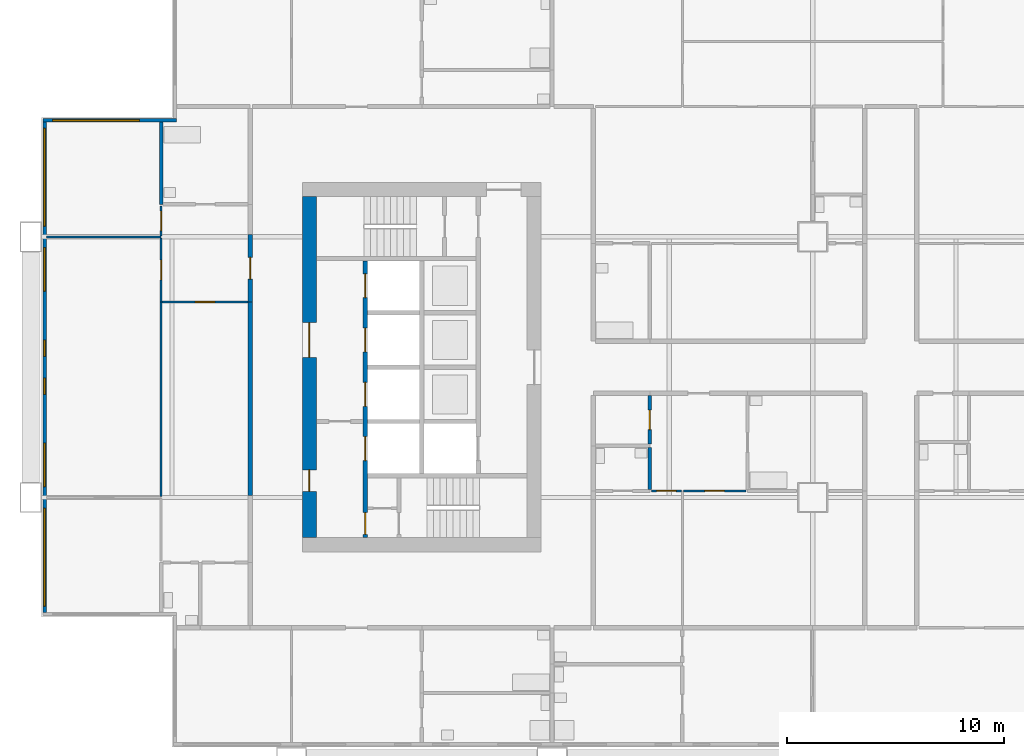
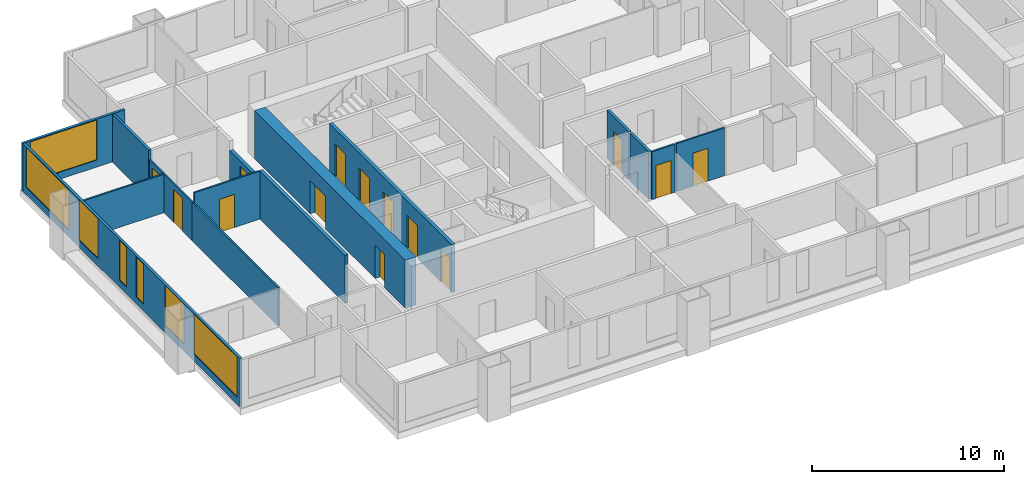
# One storey, part 3 of 13: 16 walls, 14 doors, 7 windows, 21 openings.
"""IFC4 building model written with IfcOpenShell, lengths in metres."""

import ifcopenshell
import ifcopenshell.guid

model = None  # the IFC model being written
_history = None  # IfcOwnerHistory: only IFC2X3 demands one
_inside = {}  # id of a spatial element -> (the spatial element, [elements in it])
_under = {}  # id of a project, library or spatial element -> (it, [spatial elements below it])
_declared = {}  # id of a project -> (the project, [libraries it declares])
_typed = {}  # id of a type object -> (the type object, [elements of that type])
_made_of = {}  # id of a material, layer set ... -> (it, [elements and type objects made of it])


def new_model(schema):
    """Start an empty IFC model of exactly this schema.

    Asked for "IFC4X3", IfcOpenShell would pick the latest addendum, in which some entities
    have other attributes; the version numbers below select the first issue.
    IFC2X3 requires an IfcOwnerHistory on every rooted entity: one is made here for all.
    """
    global model, _history
    if schema == "IFC4X3":
        model = ifcopenshell.file(schema_version=(4, 3, 0, 0))
    else:
        model = ifcopenshell.file(schema=schema)
    _inside.clear()
    _under.clear()
    _declared.clear()
    _typed.clear()
    _made_of.clear()
    _history = None
    if model.schema == "IFC2X3":
        org = make("IfcOrganization", Name="unknown")
        user = make(
            "IfcPersonAndOrganization",
            ThePerson=make("IfcPerson", FamilyName="unknown"),
            TheOrganization=org,
        )
        app = make(
            "IfcApplication",
            ApplicationDeveloper=org,
            Version="unknown",
            ApplicationFullName="unknown",
            ApplicationIdentifier="unknown",
        )
        _history = make(
            "IfcOwnerHistory",
            OwningUser=user,
            OwningApplication=app,
            ChangeAction="ADDED",
            CreationDate=0,
        )
    return model


def make(cls, **values):
    """One entity of the class cls with the attributes given. An attribute that is None is left unset."""
    return model.create_entity(
        cls, **{name: value for name, value in values.items() if value is not None}
    )


def rooted(cls, **values):
    """An entity with a GlobalId (a new one), such as an element, a storey or a relation."""
    return make(cls, GlobalId=ifcopenshell.guid.new(), OwnerHistory=_history, **values)


def si_unit(unit_type, name, prefix=None):
    """IfcSIUnit, for example si_unit("LENGTHUNIT", "METRE", prefix="MILLI")."""
    return make("IfcSIUnit", UnitType=unit_type, Prefix=prefix, Name=name)


def assignment(units):
    """IfcUnitAssignment: the units of a project."""
    return None if units is None else make("IfcUnitAssignment", Units=units)


def point(xyz):
    """IfcCartesianPoint."""
    return None if xyz is None else make("IfcCartesianPoint", Coordinates=xyz)


def direction(xyz):
    """IfcDirection."""
    return None if xyz is None else make("IfcDirection", DirectionRatios=xyz)


def frame(location, z_axis=None, x_axis=None):
    """IfcAxis2Placement3D, a coordinate frame: its origin and axes. An axis left out is left unset."""
    return make(
        "IfcAxis2Placement3D",
        Location=point(location),
        Axis=direction(z_axis),
        RefDirection=direction(x_axis),
    )


def frame_2d(location, x_axis=None):
    """IfcAxis2Placement2D, a coordinate frame in the plane: its origin and x axis."""
    return make(
        "IfcAxis2Placement2D", Location=point(location), RefDirection=direction(x_axis)
    )


def origin():
    """The frame at (0, 0, 0) with its axes left unset."""
    return frame((0.0, 0.0, 0.0))


def place(relative_to, where):
    """IfcLocalPlacement: puts the frame where relative to a parent placement (None: the world)."""
    return make(
        "IfcLocalPlacement", PlacementRelTo=relative_to, RelativePlacement=where
    )


def context(
    kind, dimensions, precision=None, world=None, true_north=None, identifier=None
):
    """IfcGeometricRepresentationContext, for example the 3D "Model" context."""
    return make(
        "IfcGeometricRepresentationContext",
        ContextIdentifier=identifier,
        ContextType=kind,
        CoordinateSpaceDimension=dimensions,
        Precision=precision,
        WorldCoordinateSystem=world,
        TrueNorth=true_north,
    )


def subcontext(parent, identifier, kind, view, scale=None):
    """IfcGeometricRepresentationSubContext, for example "Body" below "Model"."""
    return make(
        "IfcGeometricRepresentationSubContext",
        ContextIdentifier=identifier,
        ContextType=kind,
        ParentContext=parent,
        TargetScale=scale,
        TargetView=view,
    )


def project(units=None, contexts=None):
    """IfcProject with its units and contexts."""
    return rooted(
        "IfcProject",
        Name="project",
        RepresentationContexts=contexts,
        UnitsInContext=assignment(units),
    )


def spatial(cls, under=None, at=None, **own):
    """A site, building, storey or space (cls), placed at a placement, below another one or the project."""
    s = rooted(cls, ObjectPlacement=at, **own)
    if under is not None:
        _under.setdefault(under.id(), (under, []))[1].append(s)
    return s


def profile(cls, at=None, kind="AREA", **sizes):
    """A parametric profile (cls). Its sizes go by their IFC names, for example OverallWidth=200.0."""
    return make(cls, ProfileType=kind, Position=at, **sizes)


def rectangle(**sizes):
    """IfcRectangleProfileDef."""
    return profile("IfcRectangleProfileDef", **sizes)


def extrude(swept, where, along, depth):
    """IfcExtrudedAreaSolid: the profile swept, set in the frame where, extruded along a direction by depth."""
    return make(
        "IfcExtrudedAreaSolid",
        SweptArea=swept,
        Position=where,
        ExtrudedDirection=direction(along),
        Depth=depth,
    )


def shape(context_of_items, identifier, shape_type, items):
    """IfcShapeRepresentation: the items that make up one representation, for example the "Body"."""
    return make(
        "IfcShapeRepresentation",
        ContextOfItems=context_of_items,
        RepresentationIdentifier=identifier,
        RepresentationType=shape_type,
        Items=items,
    )


def material(Name=None, Category=None):
    """IfcMaterial."""
    return make("IfcMaterial", Name=Name, Category=Category)


def layer(
    of_material, thickness, ventilated=None, Name=None, Category=None, Priority=None
):
    """IfcMaterialLayer: one layer of a wall or slab, of a material (None: an air gap)."""
    return make(
        "IfcMaterialLayer",
        Material=of_material,
        LayerThickness=thickness,
        IsVentilated=ventilated,
        Name=Name,
        Category=Category,
        Priority=Priority,
    )


def layer_set(layers, Name=None):
    """IfcMaterialLayerSet."""
    return make("IfcMaterialLayerSet", MaterialLayers=layers, LayerSetName=Name)


def made_of(thing, what):
    """Note that an element or type object is made of a material, layer set ...; save() writes the relation."""
    if what is not None:
        _made_of.setdefault(what.id(), (what, []))[1].append(thing)
    return thing


def type_object(cls, material=None, **own):
    """A type object (cls), such as IfcWallType, which elements share."""
    return made_of(rooted(cls, **own), material)


def element(
    cls,
    number,
    at=None,
    inside=None,
    cuts=None,
    type_object=None,
    material=None,
    context=None,
    identifier="Body",
    shape_type=None,
    held_by="IfcProductDefinitionShape",
    body=None,
    shapes=None,
    **own,
):
    """One element of the class cls, such as IfcWall. Its Tag is "e" and its number.

    at: its placement. inside: the storey or other place that contains it. cuts: it is an
    opening in that element (IfcRelVoidsElement). A single representation is given by context,
    identifier, shape_type and body (its items); several are given by shapes. held_by: the class
    of the entity that holds the representations. save() writes the other relations.
    """
    e = rooted(cls, Tag="e%d" % number, ObjectPlacement=at, **own)
    if body is not None:
        shapes = [shape(context, identifier, shape_type, body)]
    if shapes is not None:
        e.Representation = make(held_by, Representations=shapes)
    if inside is not None:
        _inside.setdefault(inside.id(), (inside, []))[1].append(e)
    if cuts is not None:
        rooted(
            "IfcRelVoidsElement", RelatingBuildingElement=cuts, RelatedOpeningElement=e
        )
    if type_object is not None:
        _typed.setdefault(type_object.id(), (type_object, []))[1].append(e)
    return made_of(e, material)


def fill(opening, filler):
    """IfcRelFillsElement: the door or window that sits in an opening."""
    return rooted(
        "IfcRelFillsElement",
        RelatingOpeningElement=opening,
        RelatedBuildingElement=filler,
    )


def aggregate(whole, parts):
    """IfcRelAggregates: a whole, such as a stair, and the parts it consists of."""
    return rooted("IfcRelAggregates", RelatingObject=whole, RelatedObjects=parts)


def save(model, path):
    """Write the relations noted so far, then the file.

    IfcRelAggregates (storeys below a building ...), IfcRelContainedInSpatialStructure (elements
    in a storey), IfcRelDefinesByType, IfcRelAssociatesMaterial and IfcRelDeclares: one each for
    every whole, place, type object, material and project.
    """
    for whole, parts in _under.values():
        aggregate(whole, parts)
    for where, things in _inside.values():
        rooted(
            "IfcRelContainedInSpatialStructure",
            RelatedElements=things,
            RelatingStructure=where,
        )
    for kind, things in _typed.values():
        rooted("IfcRelDefinesByType", RelatedObjects=things, RelatingType=kind)
    for what, things in _made_of.values():
        rooted("IfcRelAssociatesMaterial", RelatedObjects=things, RelatingMaterial=what)
    for by, libraries in _declared.values():
        rooted("IfcRelDeclares", RelatingContext=by, RelatedDefinitions=libraries)
    model.write(path)


model = new_model("IFC4")

# Units and contexts
model_context = context("Model", 3, precision=1e-05, world=origin(), true_north=direction((0.0, 1.0)))
body_context = subcontext(model_context, "Body", "Model", "MODEL_VIEW")
ifc_project = project(units=[si_unit("LENGTHUNIT", "METRE"), si_unit("AREAUNIT", "SQUARE_METRE"), si_unit("VOLUMEUNIT", "CUBIC_METRE"), si_unit("PLANEANGLEUNIT", "RADIAN"), si_unit("MASSUNIT", "GRAM", prefix="KILO")], contexts=[model_context])

# Site, building, storey
site_placement = place(None, origin())
site = spatial("IfcSite", under=ifc_project, at=site_placement, CompositionType="ELEMENT")
building_placement = place(site_placement, origin())
building = spatial("IfcBuilding", under=site, at=building_placement, Name="Kitamizu Gate Tower and Museum", CompositionType="ELEMENT")
storey_placement = place(building_placement, frame((0.0, 0.0, 144.89990234375)))
storey = spatial("IfcBuildingStorey", under=building, at=storey_placement, Name="L38", CompositionType="ELEMENT", Elevation=144.89990234375)

# Wall, openings, doors
ifc_material_1 = material(Name="Concrete Fc60", Category="concrete")
ifc_layer_1 = layer(ifc_material_1, 0.64990234375)
ifc_layer_set_1 = layer_set([ifc_layer_1], Name="Concrete Fc60")
wall_type_1 = type_object("IfcWallType", Name="Core wall 650", PredefinedType="SHEAR", material=ifc_layer_set_1)
wall_1_placement = place(storey_placement, frame((12.824951171875, 22.14990234375, 0.0), z_axis=(0.0, 0.0, 1.0), x_axis=(0.0, 1.0, 0.0)))
wall_1 = element("IfcWall", 1, at=wall_1_placement, inside=storey, type_object=wall_type_1, Name="Core wall WOUT", PredefinedType="SHEAR", context=body_context, shape_type="SweptSolid", body=[
    extrude(rectangle(XDim=15.7001953125, YDim=0.64990234375, at=frame_2d((7.85009765625, 0.0))), origin(), (0.0, 0.0, 1.0), 3.050048828125),
])
opening_1_placement = place(wall_1_placement, frame((8.300048828125, 0.0, 0.0)))
opening_1 = element("IfcOpeningElement", 2, at=opening_1_placement, cuts=wall_1, Name="Opening L38-061", PredefinedType="OPENING", context=body_context, shape_type="SweptSolid", body=[
    extrude(rectangle(XDim=1.60009765625, YDim=2.10009765625, at=frame_2d((0.800048828125, 1.050048828125))), frame((0.0, 0.3349609375, 0.0), z_axis=(0.0, -1.0, 0.0), x_axis=(1.0, 0.0, 0.0)), (0.0, 0.0, 1.0), 0.669921875),
])
opening_2_placement = place(wall_1_placement, frame((2.125, 0.0, 0.0)))
opening_2 = element("IfcOpeningElement", 3, at=opening_2_placement, cuts=wall_1, Name="Opening L38-062", PredefinedType="OPENING", context=body_context, shape_type="SweptSolid", body=[
    extrude(rectangle(XDim=1.0, YDim=2.10009765625, at=frame_2d((0.5, 1.050048828125))), frame((0.0, 0.3349609375, 0.0), z_axis=(0.0, -1.0, 0.0), x_axis=(1.0, 0.0, 0.0)), (0.0, 0.0, 1.0), 0.669921875),
])
ifc_material_2 = material(Name="Timber door set", Category="wood")
door_type_1 = type_object("IfcDoorType", Name="Entrance door 1600", OperationType="DOUBLE_DOOR_SINGLE_SWING", PredefinedType="DOOR", material=ifc_material_2)
door_1_placement = place(opening_1_placement, origin())
door_1 = element("IfcDoor", 4, at=door_1_placement, inside=storey, type_object=door_type_1, Name="Lobby door L38-061", OperationType="DOUBLE_DOOR_SINGLE_SWING", OverallHeight=2.10009765625, OverallWidth=1.60009765625, PredefinedType="DOOR", context=body_context, shape_type="SweptSolid", body=[
    extrude(rectangle(XDim=1.60009765625, YDim=2.10009765625, at=frame_2d((0.800048828125, 1.050048828125))), frame((0.0, 0.02490234375, 0.0), z_axis=(0.0, -1.0, 0.0), x_axis=(1.0, 0.0, 0.0)), (0.0, 0.0, 1.0), 0.050048828125),
])
fill(opening_1, door_1)
ifc_material_3 = material(Name="Hollow metal door set")
door_type_2 = type_object("IfcDoorType", Name="Fire door 1000", OperationType="NOTDEFINED", PredefinedType="DOOR", material=ifc_material_3)
door_2_placement = place(opening_2_placement, frame((1.0, 0.0, 0.0), x_axis=(-1.0, 0.0, 0.0)))
door_2 = element("IfcDoor", 5, at=door_2_placement, inside=storey, type_object=door_type_2, Name="Fire-fighting lobby door L38-062", OperationType="SINGLE_SWING_RIGHT", OverallHeight=2.10009765625, OverallWidth=1.0, PredefinedType="DOOR", context=body_context, shape_type="SweptSolid", body=[
    extrude(rectangle(XDim=1.0, YDim=2.10009765625, at=frame_2d((0.5, 1.050048828125))), frame((0.0, 0.02490234375, 0.0), z_axis=(0.0, -1.0, 0.0), x_axis=(1.0, 0.0, 0.0)), (0.0, 0.0, 1.0), 0.050048828125),
])
fill(opening_2, door_2)

# Walls
ifc_material_4 = material(Name="Gypsum board on galvanised stud")
ifc_layer_2 = layer(ifc_material_4, 0.10009765625)
ifc_layer_set_2 = layer_set([ifc_layer_2], Name="Gypsum board on galvanised stud")
wall_type_2 = type_object("IfcWallType", Name="Partition 100 NOT RATED", PredefinedType="PARTITIONING", material=ifc_layer_set_2)
wall_2_placement = place(storey_placement, frame((6.0, 36.0, 0.0), z_axis=(0.0, 0.0, 1.0), x_axis=(-1.0, 0.0, 0.0)))
element("IfcWall", 6, at=wall_2_placement, inside=storey, type_object=wall_type_2, Name="Partition L38-016", PredefinedType="PARTITIONING", context=body_context, shape_type="SweptSolid", body=[
    extrude(rectangle(XDim=5.280029296875, YDim=0.10009765625, at=frame_2d((2.64013671875, 0.0))), origin(), (0.0, 0.0, 1.0), 2.4501953125),
])
wall_3_placement = place(storey_placement, frame((6.0, 24.050048828125, 0.0), z_axis=(0.0, 0.0, 1.0), x_axis=(0.0, 1.0, 0.0)))
element("IfcWall", 7, at=wall_3_placement, inside=storey, type_object=wall_type_2, Name="Partition L38-017", PredefinedType="PARTITIONING", context=body_context, shape_type="SweptSolid", body=[
    extrude(rectangle(XDim=8.949951171875, YDim=0.10009765625, at=frame_2d((4.47509765625, 0.0))), origin(), (0.0, 0.0, 1.0), 2.4501953125),
])

# Wall, opening, door
wall_4_placement = place(storey_placement, frame((6.0, 33.0, 0.0), z_axis=(0.0, 0.0, 1.0), x_axis=(0.0, 1.0, 0.0)))
wall_4 = element("IfcWall", 8, at=wall_4_placement, inside=storey, type_object=wall_type_2, Name="Partition L38-018", PredefinedType="PARTITIONING", context=body_context, shape_type="SweptSolid", body=[
    extrude(rectangle(XDim=2.949951171875, YDim=0.10009765625, at=frame_2d((1.47509765625, 0.0))), origin(), (0.0, 0.0, 1.0), 2.4501953125),
])
opening_3_placement = place(wall_4_placement, frame((1.02490234375, 0.0, 0.0)))
opening_3 = element("IfcOpeningElement", 9, at=opening_3_placement, cuts=wall_4, Name="Opening L38-006", PredefinedType="OPENING", context=body_context, shape_type="SweptSolid", body=[
    extrude(rectangle(XDim=0.89990234375, YDim=2.10009765625, at=frame_2d((0.449951171875, 1.050048828125))), frame((0.0, 0.06005859375, 0.0), z_axis=(0.0, -1.0, 0.0), x_axis=(1.0, 0.0, 0.0)), (0.0, 0.0, 1.0), 0.1201171875),
])
ifc_material_5 = material(Name="Timber door set", Category="wood")
door_type_3 = type_object("IfcDoorType", Name="Room door 900", OperationType="NOTDEFINED", PredefinedType="DOOR", material=ifc_material_5)
door_3_placement = place(opening_3_placement, origin())
door_3 = element("IfcDoor", 10, at=door_3_placement, inside=storey, type_object=door_type_3, Name="Door L38-006", OperationType="SINGLE_SWING_LEFT", OverallHeight=2.10009765625, OverallWidth=0.89990234375, PredefinedType="DOOR", context=body_context, shape_type="SweptSolid", body=[
    extrude(rectangle(XDim=0.89990234375, YDim=2.10009765625, at=frame_2d((0.449951171875, 1.050048828125))), frame((0.0, 0.02490234375, 0.0), z_axis=(0.0, -1.0, 0.0), x_axis=(1.0, 0.0, 0.0)), (0.0, 0.0, 1.0), 0.050048828125),
])
fill(opening_3, door_3)

wall_5_placement = place(storey_placement, frame((6.0, 36.050048828125, 0.0), z_axis=(0.0, 0.0, 1.0), x_axis=(0.0, 1.0, 0.0)))
wall_5 = element("IfcWall", 11, at=wall_5_placement, inside=storey, type_object=wall_type_2, Name="Partition L38-019", PredefinedType="PARTITIONING", context=body_context, shape_type="SweptSolid", body=[
    extrude(rectangle(XDim=1.375, YDim=0.10009765625, at=frame_2d((0.6875, 0.0))), origin(), (0.0, 0.0, 1.0), 2.4501953125),
])
opening_4_placement = place(wall_5_placement, frame((0.237548828125, 0.0, 0.0)))
opening_4 = element("IfcOpeningElement", 12, at=opening_4_placement, cuts=wall_5, Name="Opening L38-007", PredefinedType="OPENING", context=body_context, shape_type="SweptSolid", body=[
    extrude(rectangle(XDim=0.89990234375, YDim=2.10009765625, at=frame_2d((0.449951171875, 1.050048828125))), frame((0.0, 0.06005859375, 0.0), z_axis=(0.0, -1.0, 0.0), x_axis=(1.0, 0.0, 0.0)), (0.0, 0.0, 1.0), 0.1201171875),
])
door_4_placement = place(opening_4_placement, origin())
door_4 = element("IfcDoor", 13, at=door_4_placement, inside=storey, type_object=door_type_3, Name="Door L38-007", OperationType="SINGLE_SWING_RIGHT", OverallHeight=2.10009765625, OverallWidth=0.89990234375, PredefinedType="DOOR", context=body_context, shape_type="SweptSolid", body=[
    extrude(rectangle(XDim=0.89990234375, YDim=2.10009765625, at=frame_2d((0.449951171875, 1.050048828125))), frame((0.0, 0.02490234375, 0.0), z_axis=(0.0, -1.0, 0.0), x_axis=(1.0, 0.0, 0.0)), (0.0, 0.0, 1.0), 0.050048828125),
])
fill(opening_4, door_4)

wall_6_placement = place(storey_placement, frame((10.0, 33.0, 0.0), z_axis=(0.0, 0.0, 1.0), x_axis=(-1.0, 0.0, 0.0)))
wall_6 = element("IfcWall", 14, at=wall_6_placement, inside=storey, type_object=wall_type_2, Name="Partition L38-025", PredefinedType="PARTITIONING", context=body_context, shape_type="SweptSolid", body=[
    extrude(rectangle(XDim=3.949951171875, YDim=0.10009765625, at=frame_2d((1.97509765625, 0.0))), origin(), (0.0, 0.0, 1.0), 3.050048828125),
])
opening_5_placement = place(wall_6_placement, frame((1.52490234375, 0.0, 0.0)))
opening_5 = element("IfcOpeningElement", 15, at=opening_5_placement, cuts=wall_6, Name="Opening L38-008", PredefinedType="OPENING", context=body_context, shape_type="SweptSolid", body=[
    extrude(rectangle(XDim=0.89990234375, YDim=2.10009765625, at=frame_2d((0.449951171875, 1.050048828125))), frame((0.0, 0.06005859375, 0.0), z_axis=(0.0, -1.0, 0.0), x_axis=(1.0, 0.0, 0.0)), (0.0, 0.0, 1.0), 0.1201171875),
])
door_5_placement = place(opening_5_placement, frame((0.89990234375, 0.0, 0.0), x_axis=(-1.0, 0.0, 0.0)))
door_5 = element("IfcDoor", 16, at=door_5_placement, inside=storey, type_object=door_type_3, Name="Door L38-008", OperationType="SINGLE_SWING_LEFT", OverallHeight=2.10009765625, OverallWidth=0.89990234375, PredefinedType="DOOR", context=body_context, shape_type="SweptSolid", body=[
    extrude(rectangle(XDim=0.89990234375, YDim=2.10009765625, at=frame_2d((0.449951171875, 1.050048828125))), frame((0.0, 0.02490234375, 0.0), z_axis=(0.0, -1.0, 0.0), x_axis=(1.0, 0.0, 0.0)), (0.0, 0.0, 1.0), 0.050048828125),
])
fill(opening_5, door_5)

wall_7_placement = place(storey_placement, frame((29.949951171875, 24.300048828125, 0.0), z_axis=(0.0, 0.0, 1.0), x_axis=(-1.0, 0.0, 0.0)))
wall_7 = element("IfcWall", 17, at=wall_7_placement, inside=storey, type_object=wall_type_2, Name="Partition L38-035", PredefinedType="PARTITIONING", context=body_context, shape_type="SweptSolid", body=[
    extrude(rectangle(XDim=1.375, YDim=0.10009765625, at=frame_2d((0.6875, 0.0))), origin(), (0.0, 0.0, 1.0), 3.050048828125),
])
opening_6_placement = place(wall_7_placement, frame((0.237548828125, 0.0, 0.0)))
opening_6 = element("IfcOpeningElement", 18, at=opening_6_placement, cuts=wall_7, Name="Opening L38-014", PredefinedType="OPENING", context=body_context, shape_type="SweptSolid", body=[
    extrude(rectangle(XDim=0.89990234375, YDim=2.10009765625, at=frame_2d((0.449951171875, 1.050048828125))), frame((0.0, 0.06005859375, 0.0), z_axis=(0.0, -1.0, 0.0), x_axis=(1.0, 0.0, 0.0)), (0.0, 0.0, 1.0), 0.1201171875),
])
door_6_placement = place(opening_6_placement, origin())
door_6 = element("IfcDoor", 19, at=door_6_placement, inside=storey, type_object=door_type_3, Name="Door L38-014", OperationType="SINGLE_SWING_RIGHT", OverallHeight=2.10009765625, OverallWidth=0.89990234375, PredefinedType="DOOR", context=body_context, shape_type="SweptSolid", body=[
    extrude(rectangle(XDim=0.89990234375, YDim=2.10009765625, at=frame_2d((0.449951171875, 1.050048828125))), frame((0.0, 0.02490234375, 0.0), z_axis=(0.0, -1.0, 0.0), x_axis=(1.0, 0.0, 0.0)), (0.0, 0.0, 1.0), 0.050048828125),
])
fill(opening_6, door_6)

wall_8_placement = place(storey_placement, frame((32.925048828125, 24.300048828125, 0.0), z_axis=(0.0, 0.0, 1.0), x_axis=(-1.0, 0.0, 0.0)))
wall_8 = element("IfcWall", 20, at=wall_8_placement, inside=storey, type_object=wall_type_2, Name="Partition L38-039", PredefinedType="PARTITIONING", context=body_context, shape_type="SweptSolid", body=[
    extrude(rectangle(XDim=2.875, YDim=0.10009765625, at=frame_2d((1.4375, 0.0))), origin(), (0.0, 0.0, 1.0), 3.050048828125),
])
opening_7_placement = place(wall_8_placement, frame((0.987548828125, 0.0, 0.0)))
opening_7 = element("IfcOpeningElement", 21, at=opening_7_placement, cuts=wall_8, Name="Opening L38-015", PredefinedType="OPENING", context=body_context, shape_type="SweptSolid", body=[
    extrude(rectangle(XDim=0.89990234375, YDim=2.10009765625, at=frame_2d((0.449951171875, 1.050048828125))), frame((0.0, 0.06005859375, 0.0), z_axis=(0.0, -1.0, 0.0), x_axis=(1.0, 0.0, 0.0)), (0.0, 0.0, 1.0), 0.1201171875),
])
door_7_placement = place(opening_7_placement, origin())
door_7 = element("IfcDoor", 22, at=door_7_placement, inside=storey, type_object=door_type_3, Name="Door L38-015", OperationType="SINGLE_SWING_LEFT", OverallHeight=2.10009765625, OverallWidth=0.89990234375, PredefinedType="DOOR", context=body_context, shape_type="SweptSolid", body=[
    extrude(rectangle(XDim=0.89990234375, YDim=2.10009765625, at=frame_2d((0.449951171875, 1.050048828125))), frame((0.0, 0.02490234375, 0.0), z_axis=(0.0, -1.0, 0.0), x_axis=(1.0, 0.0, 0.0)), (0.0, 0.0, 1.0), 0.050048828125),
])
fill(opening_7, door_7)

# Walls
ifc_material_6 = material(Name="Gypsum board on galvanised stud")
ifc_layer_3 = layer(ifc_material_6, 0.14990234375)
ifc_layer_set_3 = layer_set([ifc_layer_3], Name="Gypsum board on galvanised stud")
wall_type_3 = type_object("IfcWallType", Name="Partition 150", PredefinedType="PARTITIONING", material=ifc_layer_set_3)
wall_9_placement = place(storey_placement, frame((6.0, 37.5, 0.0), z_axis=(0.0, 0.0, 1.0), x_axis=(0.0, 1.0, 0.0)))
element("IfcWall", 23, at=wall_9_placement, inside=storey, type_object=wall_type_3, Name="Partition L38-020", PredefinedType="PARTITIONING", context=body_context, shape_type="SweptSolid", body=[
    extrude(rectangle(XDim=3.780029296875, YDim=0.14990234375, at=frame_2d((1.89013671875, 0.0))), origin(), (0.0, 0.0, 1.0), 3.050048828125),
])
wall_10_placement = place(storey_placement, frame((28.5, 24.375, 0.0), z_axis=(0.0, 0.0, 1.0), x_axis=(0.0, 1.0, 0.0)))
element("IfcWall", 24, at=wall_10_placement, inside=storey, type_object=wall_type_3, Name="Partition L38-046", PredefinedType="PARTITIONING", context=body_context, shape_type="SweptSolid", body=[
    extrude(rectangle(XDim=1.927001953125, YDim=0.14990234375, at=frame_2d((0.96337890625, 0.0))), origin(), (0.0, 0.0, 1.0), 3.050048828125),
])

# Wall, opening, door
wall_11_placement = place(storey_placement, frame((28.5, 26.451904296875, 0.0), z_axis=(0.0, 0.0, 1.0), x_axis=(0.0, 1.0, 0.0)))
wall_11 = element("IfcWall", 25, at=wall_11_placement, inside=storey, type_object=wall_type_3, Name="Partition L38-048", PredefinedType="PARTITIONING", context=body_context, shape_type="SweptSolid", body=[
    extrude(rectangle(XDim=2.248046875, YDim=0.14990234375, at=frame_2d((1.1240234375, 0.0))), origin(), (0.0, 0.0, 1.0), 3.050048828125),
])
opening_8_placement = place(wall_11_placement, frame((0.674072265625, 0.0, 0.0)))
opening_8 = element("IfcOpeningElement", 26, at=opening_8_placement, cuts=wall_11, Name="Opening L38-017", PredefinedType="OPENING", context=body_context, shape_type="SweptSolid", body=[
    extrude(rectangle(XDim=0.89990234375, YDim=2.10009765625, at=frame_2d((0.449951171875, 1.050048828125))), frame((0.0, 0.0849609375, 0.0), z_axis=(0.0, -1.0, 0.0), x_axis=(1.0, 0.0, 0.0)), (0.0, 0.0, 1.0), 0.169921875),
])
ifc_material_7 = material(Name="Timber door set", Category="wood")
door_type_4 = type_object("IfcDoorType", Name="Bathroom door 900", OperationType="NOTDEFINED", PredefinedType="DOOR", material=ifc_material_7)
door_8_placement = place(opening_8_placement, origin())
door_8 = element("IfcDoor", 27, at=door_8_placement, inside=storey, type_object=door_type_4, Name="Bathroom door L38-017", OperationType="SINGLE_SWING_LEFT", OverallHeight=2.10009765625, OverallWidth=0.89990234375, PredefinedType="DOOR", context=body_context, shape_type="SweptSolid", body=[
    extrude(rectangle(XDim=0.89990234375, YDim=2.10009765625, at=frame_2d((0.449951171875, 1.050048828125))), frame((0.0, 0.02490234375, 0.0), z_axis=(0.0, -1.0, 0.0), x_axis=(1.0, 0.0, 0.0)), (0.0, 0.0, 1.0), 0.050048828125),
])
fill(opening_8, door_8)

# Wall
ifc_material_8 = material(Name="Gypsum board on galvanised stud")
ifc_layer_4 = layer(ifc_material_8, 0.199951171875)
ifc_layer_set_4 = layer_set([ifc_layer_4], Name="Gypsum board on galvanised stud")
wall_type_4 = type_object("IfcWallType", Name="Partition 200", PredefinedType="PARTITIONING", material=ifc_layer_set_4)
wall_12_placement = place(storey_placement, frame((10.10009765625, 24.10009765625, 0.0), z_axis=(0.0, 0.0, 1.0), x_axis=(0.0, 1.0, 0.0)))
element("IfcWall", 28, at=wall_12_placement, inside=storey, type_object=wall_type_4, Name="Partition L38-027", PredefinedType="PARTITIONING", context=body_context, shape_type="SweptSolid", body=[
    extrude(rectangle(XDim=8.89990234375, YDim=0.199951171875, at=frame_2d((4.449951171875, 0.0))), origin(), (0.0, 0.0, 1.0), 3.050048828125),
])

# Wall, opening, door
wall_13_placement = place(storey_placement, frame((10.10009765625, 33.0, 0.0), z_axis=(0.0, 0.0, 1.0), x_axis=(0.0, 1.0, 0.0)))
wall_13 = element("IfcWall", 29, at=wall_13_placement, inside=storey, type_object=wall_type_4, Name="Partition L38-029", PredefinedType="PARTITIONING", context=body_context, shape_type="SweptSolid", body=[
    extrude(rectangle(XDim=3.10009765625, YDim=0.199951171875, at=frame_2d((1.550048828125, 0.0))), origin(), (0.0, 0.0, 1.0), 2.4501953125),
])
opening_9_placement = place(wall_13_placement, frame((1.050048828125, 0.0, 0.0)))
opening_9 = element("IfcOpeningElement", 30, at=opening_9_placement, cuts=wall_13, Name="Opening L38-005", PredefinedType="OPENING", context=body_context, shape_type="SweptSolid", body=[
    extrude(rectangle(XDim=1.0, YDim=2.10009765625, at=frame_2d((0.5, 1.050048828125))), frame((0.0, 0.10986328125, 0.0), z_axis=(0.0, -1.0, 0.0), x_axis=(1.0, 0.0, 0.0)), (0.0, 0.0, 1.0), 0.219970703125),
])
ifc_material_9 = material(Name="Timber door set", Category="wood")
door_type_5 = type_object("IfcDoorType", Name="Flat entrance door 1000", OperationType="NOTDEFINED", PredefinedType="DOOR", material=ifc_material_9)
door_9_placement = place(opening_9_placement, origin())
door_9 = element("IfcDoor", 31, at=door_9_placement, inside=storey, type_object=door_type_5, Name="Flat entrance door L38-005", OperationType="SINGLE_SWING_RIGHT", OverallHeight=2.10009765625, OverallWidth=1.0, PredefinedType="DOOR", context=body_context, shape_type="SweptSolid", body=[
    extrude(rectangle(XDim=1.0, YDim=2.10009765625, at=frame_2d((0.5, 1.050048828125))), frame((0.0, 0.02490234375, 0.0), z_axis=(0.0, -1.0, 0.0), x_axis=(1.0, 0.0, 0.0)), (0.0, 0.0, 1.0), 0.050048828125),
])
fill(opening_9, door_9)

# Wall, openings, doors
ifc_material_10 = material(Name="Concrete Fc42", Category="concrete")
ifc_layer_5 = layer(ifc_material_10, 0.199951171875)
ifc_layer_set_5 = layer_set([ifc_layer_5], Name="Concrete Fc42")
wall_type_5 = type_object("IfcWallType", Name="Shaft wall 200", PredefinedType="SOLIDWALL", material=ifc_layer_set_5)
wall_14_placement = place(storey_placement, frame((15.39990234375, 22.14990234375, 0.0), z_axis=(0.0, 0.0, 1.0), x_axis=(0.0, 1.0, 0.0)))
wall_14 = element("IfcWall", 32, at=wall_14_placement, inside=storey, type_object=wall_type_5, Name="Shaft wall WWEST", PredefinedType="SOLIDWALL", context=body_context, shape_type="SweptSolid", body=[
    extrude(rectangle(XDim=12.75, YDim=0.199951171875, at=frame_2d((6.375, 0.0))), origin(), (0.0, 0.0, 1.0), 3.050048828125),
])
opening_10_placement = place(wall_14_placement, frame((3.550048828125, 0.0, 0.0)))
opening_10 = element("IfcOpeningElement", 33, at=opening_10_placement, cuts=wall_14, Name="Opening LD", PredefinedType="OPENING", context=body_context, shape_type="SweptSolid", body=[
    extrude(rectangle(XDim=1.10009765625, YDim=2.10009765625, at=frame_2d((0.550048828125, 1.050048828125))), frame((0.0, 0.10986328125, 0.0), z_axis=(0.0, -1.0, 0.0), x_axis=(1.0, 0.0, 0.0)), (0.0, 0.0, 1.0), 0.219970703125),
])
opening_11_placement = place(wall_14_placement, frame((6.050048828125, 0.0, 0.0)))
opening_11 = element("IfcOpeningElement", 34, at=opening_11_placement, cuts=wall_14, Name="Opening LD", PredefinedType="OPENING", context=body_context, shape_type="SweptSolid", body=[
    extrude(rectangle(XDim=1.10009765625, YDim=2.10009765625, at=frame_2d((0.550048828125, 1.050048828125))), frame((0.0, 0.10986328125, 0.0), z_axis=(0.0, -1.0, 0.0), x_axis=(1.0, 0.0, 0.0)), (0.0, 0.0, 1.0), 0.219970703125),
])
opening_12_placement = place(wall_14_placement, frame((8.550048828125, 0.0, 0.0)))
opening_12 = element("IfcOpeningElement", 35, at=opening_12_placement, cuts=wall_14, Name="Opening LD", PredefinedType="OPENING", context=body_context, shape_type="SweptSolid", body=[
    extrude(rectangle(XDim=1.10009765625, YDim=2.10009765625, at=frame_2d((0.550048828125, 1.050048828125))), frame((0.0, 0.10986328125, 0.0), z_axis=(0.0, -1.0, 0.0), x_axis=(1.0, 0.0, 0.0)), (0.0, 0.0, 1.0), 0.219970703125),
])
opening_13_placement = place(wall_14_placement, frame((11.050048828125, 0.0, 0.0)))
opening_13 = element("IfcOpeningElement", 36, at=opening_13_placement, cuts=wall_14, Name="Opening LD", PredefinedType="OPENING", context=body_context, shape_type="SweptSolid", body=[
    extrude(rectangle(XDim=1.10009765625, YDim=2.10009765625, at=frame_2d((0.550048828125, 1.050048828125))), frame((0.0, 0.10986328125, 0.0), z_axis=(0.0, -1.0, 0.0), x_axis=(1.0, 0.0, 0.0)), (0.0, 0.0, 1.0), 0.219970703125),
])
opening_14_placement = place(wall_14_placement, frame((0.14990234375, 0.0, 0.0)))
opening_14 = element("IfcOpeningElement", 37, at=opening_14_placement, cuts=wall_14, Name="Opening L38-056", PredefinedType="OPENING", context=body_context, shape_type="SweptSolid", body=[
    extrude(rectangle(XDim=1.0, YDim=2.10009765625, at=frame_2d((0.5, 1.050048828125))), frame((0.0, 0.10986328125, 0.0), z_axis=(0.0, -1.0, 0.0), x_axis=(1.0, 0.0, 0.0)), (0.0, 0.0, 1.0), 0.219970703125),
])
door_10_placement = place(opening_14_placement, frame((1.0, 0.0, 0.0), x_axis=(-1.0, 0.0, 0.0)))
door_10 = element("IfcDoor", 38, at=door_10_placement, inside=storey, type_object=door_type_2, Name="Stair lobby door L38-056", OperationType="SINGLE_SWING_LEFT", OverallHeight=2.10009765625, OverallWidth=1.0, PredefinedType="DOOR", context=body_context, shape_type="SweptSolid", body=[
    extrude(rectangle(XDim=1.0, YDim=2.10009765625, at=frame_2d((0.5, 1.050048828125))), frame((0.0, 0.02490234375, 0.0), z_axis=(0.0, -1.0, 0.0), x_axis=(1.0, 0.0, 0.0)), (0.0, 0.0, 1.0), 0.050048828125),
])
fill(opening_14, door_10)
ifc_material_11 = material(Name="Hollow metal door set")
door_type_6 = type_object("IfcDoorType", Name="Landing door 1100", OperationType="SLIDING_TO_LEFT", PredefinedType="DOOR", material=ifc_material_11)
door_11_placement = place(opening_10_placement, origin())
door_11 = element("IfcDoor", 39, at=door_11_placement, inside=storey, type_object=door_type_6, Name="Landing door WFF1", OperationType="SLIDING_TO_LEFT", OverallHeight=2.10009765625, OverallWidth=1.10009765625, PredefinedType="DOOR", context=body_context, shape_type="SweptSolid", body=[
    extrude(rectangle(XDim=1.10009765625, YDim=2.10009765625, at=frame_2d((0.550048828125, 1.050048828125))), frame((0.0, 0.02490234375, 0.0), z_axis=(0.0, -1.0, 0.0), x_axis=(1.0, 0.0, 0.0)), (0.0, 0.0, 1.0), 0.050048828125),
])
fill(opening_10, door_11)
door_12_placement = place(opening_11_placement, origin())
door_12 = element("IfcDoor", 40, at=door_12_placement, inside=storey, type_object=door_type_6, Name="Landing door WL1", OperationType="SLIDING_TO_LEFT", OverallHeight=2.10009765625, OverallWidth=1.10009765625, PredefinedType="DOOR", context=body_context, shape_type="SweptSolid", body=[
    extrude(rectangle(XDim=1.10009765625, YDim=2.10009765625, at=frame_2d((0.550048828125, 1.050048828125))), frame((0.0, 0.02490234375, 0.0), z_axis=(0.0, -1.0, 0.0), x_axis=(1.0, 0.0, 0.0)), (0.0, 0.0, 1.0), 0.050048828125),
])
fill(opening_11, door_12)
door_13_placement = place(opening_12_placement, origin())
door_13 = element("IfcDoor", 41, at=door_13_placement, inside=storey, type_object=door_type_6, Name="Landing door WL2", OperationType="SLIDING_TO_LEFT", OverallHeight=2.10009765625, OverallWidth=1.10009765625, PredefinedType="DOOR", context=body_context, shape_type="SweptSolid", body=[
    extrude(rectangle(XDim=1.10009765625, YDim=2.10009765625, at=frame_2d((0.550048828125, 1.050048828125))), frame((0.0, 0.02490234375, 0.0), z_axis=(0.0, -1.0, 0.0), x_axis=(1.0, 0.0, 0.0)), (0.0, 0.0, 1.0), 0.050048828125),
])
fill(opening_12, door_13)
door_14_placement = place(opening_13_placement, origin())
door_14 = element("IfcDoor", 42, at=door_14_placement, inside=storey, type_object=door_type_6, Name="Landing door WL3", OperationType="SLIDING_TO_LEFT", OverallHeight=2.10009765625, OverallWidth=1.10009765625, PredefinedType="DOOR", context=body_context, shape_type="SweptSolid", body=[
    extrude(rectangle(XDim=1.10009765625, YDim=2.10009765625, at=frame_2d((0.550048828125, 1.050048828125))), frame((0.0, 0.02490234375, 0.0), z_axis=(0.0, -1.0, 0.0), x_axis=(1.0, 0.0, 0.0)), (0.0, 0.0, 1.0), 0.050048828125),
])
fill(opening_13, door_14)

# Wall, opening, window
ifc_material_12 = material(Name="Bronze anodised aluminium frame with insulated spandrel and tinted glass", Category="aluminium")
ifc_layer_6 = layer(ifc_material_12, 0.14990234375)
ifc_layer_set_6 = layer_set([ifc_layer_6], Name="Bronze anodised aluminium frame with insulated spandrel and tinted glass")
wall_type_6 = type_object("IfcWallType", Name="WINDOW WALL 150 BRONZE FRAME EI 30", PredefinedType="ELEMENTEDWALL", material=ifc_layer_set_6)
wall_15_placement = place(storey_placement, frame((0.56005859375, 41.364990234375, 0.0), z_axis=(0.0, 0.0, 1.0), x_axis=(1.0, 0.0, 0.0)))
wall_15 = element("IfcWall", 43, at=wall_15_placement, inside=storey, type_object=wall_type_6, Name="Window wall north L38", PredefinedType="ELEMENTEDWALL", context=body_context, shape_type="SweptSolid", body=[
    extrude(rectangle(XDim=6.14990234375, YDim=0.14990234375, at=frame_2d((3.074951171875, 0.0))), origin(), (0.0, 0.0, 1.0), 3.050048828125),
])
opening_15_placement = place(wall_15_placement, frame((0.43994140625, 0.0, 0.449951171875)))
opening_15 = element("IfcOpeningElement", 44, at=opening_15_placement, cuts=wall_15, Name="Opening W16", PredefinedType="OPENING", context=body_context, shape_type="SweptSolid", body=[
    extrude(rectangle(XDim=4.0, YDim=2.550048828125, at=frame_2d((2.0, 1.27490234375))), frame((0.0, 0.0849609375, 0.0), z_axis=(0.0, -1.0, 0.0), x_axis=(1.0, 0.0, 0.0)), (0.0, 0.0, 1.0), 0.169921875),
])
ifc_material_13 = material(Name="Bronze anodised aluminium frame, tinted triple glazing", Category="aluminium")
window_type_1 = type_object("IfcWindowType", Name="WINDOW 4000 x 2550 SILL 450", PartitioningType="SINGLE_PANEL", PredefinedType="WINDOW", material=ifc_material_13)
window_1_placement = place(opening_15_placement, origin())
window_1 = element("IfcWindow", 45, at=window_1_placement, inside=storey, type_object=window_type_1, Name="Window W16 L38", OverallHeight=2.550048828125, OverallWidth=4.0, PartitioningType="SINGLE_PANEL", PredefinedType="WINDOW", context=body_context, shape_type="SweptSolid", body=[
    extrude(rectangle(XDim=4.0, YDim=2.550048828125, at=frame_2d((2.0, 1.27490234375))), frame((0.0, 0.030029296875, 0.0), z_axis=(0.0, -1.0, 0.0), x_axis=(1.0, 0.0, 0.0)), (0.0, 0.0, 1.0), 0.06005859375),
])
fill(opening_15, window_1)

# Wall, openings, windows
wall_16_placement = place(storey_placement, frame((0.635009765625, 18.7099609375, 0.0), z_axis=(0.0, 0.0, 1.0), x_axis=(0.0, 1.0, 0.0)))
wall_16 = element("IfcWall", 46, at=wall_16_placement, inside=storey, type_object=wall_type_6, Name="Window wall west L38", PredefinedType="ELEMENTEDWALL", context=body_context, shape_type="SweptSolid", body=[
    extrude(rectangle(XDim=22.580078125, YDim=0.14990234375, at=frame_2d((11.2900390625, 0.0))), origin(), (0.0, 0.0, 1.0), 3.050048828125),
])
opening_16_placement = place(wall_16_placement, frame((0.2900390625, 0.0, 0.449951171875)))
opening_16 = element("IfcOpeningElement", 47, at=opening_16_placement, cuts=wall_16, Name="Opening W15", PredefinedType="OPENING", context=body_context, shape_type="SweptSolid", body=[
    extrude(rectangle(XDim=4.5, YDim=2.550048828125, at=frame_2d((2.25, 1.27490234375))), frame((0.0, 0.0849609375, 0.0), z_axis=(0.0, -1.0, 0.0), x_axis=(1.0, 0.0, 0.0)), (0.0, 0.0, 1.0), 0.169921875),
])
opening_17_placement = place(wall_16_placement, frame((5.7900390625, 0.0, 0.449951171875)))
opening_17 = element("IfcOpeningElement", 48, at=opening_17_placement, cuts=wall_16, Name="Opening W2", PredefinedType="OPENING", context=body_context, shape_type="SweptSolid", body=[
    extrude(rectangle(XDim=2.0, YDim=2.550048828125, at=frame_2d((1.0, 1.27490234375))), frame((0.0, 0.0849609375, 0.0), z_axis=(0.0, -1.0, 0.0), x_axis=(1.0, 0.0, 0.0)), (0.0, 0.0, 1.0), 0.169921875),
])
opening_18_placement = place(wall_16_placement, frame((10.0400390625, 0.0, 0.449951171875)))
opening_18 = element("IfcOpeningElement", 49, at=opening_18_placement, cuts=wall_16, Name="Opening W25", PredefinedType="OPENING", context=body_context, shape_type="SweptSolid", body=[
    extrude(rectangle(XDim=0.75, YDim=2.550048828125, at=frame_2d((0.375, 1.27490234375))), frame((0.0, 0.0849609375, 0.0), z_axis=(0.0, -1.0, 0.0), x_axis=(1.0, 0.0, 0.0)), (0.0, 0.0, 1.0), 0.169921875),
])
opening_19_placement = place(wall_16_placement, frame((11.7900390625, 0.0, 0.449951171875)))
opening_19 = element("IfcOpeningElement", 50, at=opening_19_placement, cuts=wall_16, Name="Opening W25", PredefinedType="OPENING", context=body_context, shape_type="SweptSolid", body=[
    extrude(rectangle(XDim=0.75, YDim=2.550048828125, at=frame_2d((0.375, 1.27490234375))), frame((0.0, 0.0849609375, 0.0), z_axis=(0.0, -1.0, 0.0), x_axis=(1.0, 0.0, 0.0)), (0.0, 0.0, 1.0), 0.169921875),
])
opening_20_placement = place(wall_16_placement, frame((14.7900390625, 0.0, 0.449951171875)))
opening_20 = element("IfcOpeningElement", 51, at=opening_20_placement, cuts=wall_16, Name="Opening W2", PredefinedType="OPENING", context=body_context, shape_type="SweptSolid", body=[
    extrude(rectangle(XDim=2.0, YDim=2.550048828125, at=frame_2d((1.0, 1.27490234375))), frame((0.0, 0.0849609375, 0.0), z_axis=(0.0, -1.0, 0.0), x_axis=(1.0, 0.0, 0.0)), (0.0, 0.0, 1.0), 0.169921875),
])
opening_21_placement = place(wall_16_placement, frame((17.7900390625, 0.0, 0.449951171875)))
opening_21 = element("IfcOpeningElement", 52, at=opening_21_placement, cuts=wall_16, Name="Opening W15", PredefinedType="OPENING", context=body_context, shape_type="SweptSolid", body=[
    extrude(rectangle(XDim=4.5, YDim=2.550048828125, at=frame_2d((2.25, 1.27490234375))), frame((0.0, 0.0849609375, 0.0), z_axis=(0.0, -1.0, 0.0), x_axis=(1.0, 0.0, 0.0)), (0.0, 0.0, 1.0), 0.169921875),
])
ifc_material_14 = material(Name="Bronze anodised aluminium frame, tinted triple glazing", Category="aluminium")
window_type_2 = type_object("IfcWindowType", Name="WINDOW 2000 x 2550 SILL 450", PartitioningType="SINGLE_PANEL", PredefinedType="WINDOW", material=ifc_material_14)
window_2_placement = place(opening_17_placement, origin())
window_2 = element("IfcWindow", 53, at=window_2_placement, inside=storey, type_object=window_type_2, Name="Window W2 L38", OverallHeight=2.550048828125, OverallWidth=2.0, PartitioningType="SINGLE_PANEL", PredefinedType="WINDOW", context=body_context, shape_type="SweptSolid", body=[
    extrude(rectangle(XDim=2.0, YDim=2.550048828125, at=frame_2d((1.0, 1.27490234375))), frame((0.0, 0.030029296875, 0.0), z_axis=(0.0, -1.0, 0.0), x_axis=(1.0, 0.0, 0.0)), (0.0, 0.0, 1.0), 0.06005859375),
])
fill(opening_17, window_2)
window_3_placement = place(opening_20_placement, origin())
window_3 = element("IfcWindow", 54, at=window_3_placement, inside=storey, type_object=window_type_2, Name="Window W2 L38", OverallHeight=2.550048828125, OverallWidth=2.0, PartitioningType="SINGLE_PANEL", PredefinedType="WINDOW", context=body_context, shape_type="SweptSolid", body=[
    extrude(rectangle(XDim=2.0, YDim=2.550048828125, at=frame_2d((1.0, 1.27490234375))), frame((0.0, 0.030029296875, 0.0), z_axis=(0.0, -1.0, 0.0), x_axis=(1.0, 0.0, 0.0)), (0.0, 0.0, 1.0), 0.06005859375),
])
fill(opening_20, window_3)
ifc_material_15 = material(Name="Bronze anodised aluminium frame, tinted triple glazing", Category="aluminium")
window_type_3 = type_object("IfcWindowType", Name="WINDOW 4500 x 2550 SILL 450", PartitioningType="SINGLE_PANEL", PredefinedType="WINDOW", material=ifc_material_15)
window_4_placement = place(opening_16_placement, origin())
window_4 = element("IfcWindow", 55, at=window_4_placement, inside=storey, type_object=window_type_3, Name="Window W15 L38", OverallHeight=2.550048828125, OverallWidth=4.5, PartitioningType="SINGLE_PANEL", PredefinedType="WINDOW", context=body_context, shape_type="SweptSolid", body=[
    extrude(rectangle(XDim=4.5, YDim=2.550048828125, at=frame_2d((2.25, 1.27490234375))), frame((0.0, 0.030029296875, 0.0), z_axis=(0.0, -1.0, 0.0), x_axis=(1.0, 0.0, 0.0)), (0.0, 0.0, 1.0), 0.06005859375),
])
fill(opening_16, window_4)
window_5_placement = place(opening_21_placement, origin())
window_5 = element("IfcWindow", 56, at=window_5_placement, inside=storey, type_object=window_type_3, Name="Window W15 L38", OverallHeight=2.550048828125, OverallWidth=4.5, PartitioningType="SINGLE_PANEL", PredefinedType="WINDOW", context=body_context, shape_type="SweptSolid", body=[
    extrude(rectangle(XDim=4.5, YDim=2.550048828125, at=frame_2d((2.25, 1.27490234375))), frame((0.0, 0.030029296875, 0.0), z_axis=(0.0, -1.0, 0.0), x_axis=(1.0, 0.0, 0.0)), (0.0, 0.0, 1.0), 0.06005859375),
])
fill(opening_21, window_5)
ifc_material_16 = material(Name="Bronze anodised aluminium frame, tinted triple glazing", Category="aluminium")
window_type_4 = type_object("IfcWindowType", Name="WINDOW 750 x 2550 SILL 450", PartitioningType="SINGLE_PANEL", PredefinedType="WINDOW", material=ifc_material_16)
window_6_placement = place(opening_18_placement, origin())
window_6 = element("IfcWindow", 57, at=window_6_placement, inside=storey, type_object=window_type_4, Name="Window W25 L38", OverallHeight=2.550048828125, OverallWidth=0.75, PartitioningType="SINGLE_PANEL", PredefinedType="WINDOW", context=body_context, shape_type="SweptSolid", body=[
    extrude(rectangle(XDim=0.75, YDim=2.550048828125, at=frame_2d((0.375, 1.27490234375))), frame((0.0, 0.030029296875, 0.0), z_axis=(0.0, -1.0, 0.0), x_axis=(1.0, 0.0, 0.0)), (0.0, 0.0, 1.0), 0.06005859375),
])
fill(opening_18, window_6)
window_7_placement = place(opening_19_placement, origin())
window_7 = element("IfcWindow", 58, at=window_7_placement, inside=storey, type_object=window_type_4, Name="Window W25 L38", OverallHeight=2.550048828125, OverallWidth=0.75, PartitioningType="SINGLE_PANEL", PredefinedType="WINDOW", context=body_context, shape_type="SweptSolid", body=[
    extrude(rectangle(XDim=0.75, YDim=2.550048828125, at=frame_2d((0.375, 1.27490234375))), frame((0.0, 0.030029296875, 0.0), z_axis=(0.0, -1.0, 0.0), x_axis=(1.0, 0.0, 0.0)), (0.0, 0.0, 1.0), 0.06005859375),
])
fill(opening_19, window_7)

save(model, "model.ifc")
